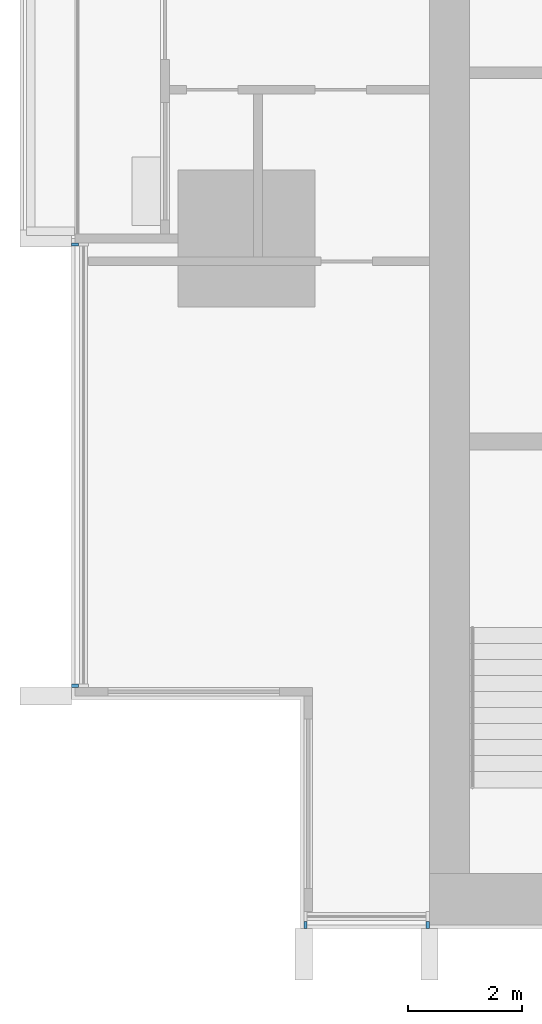
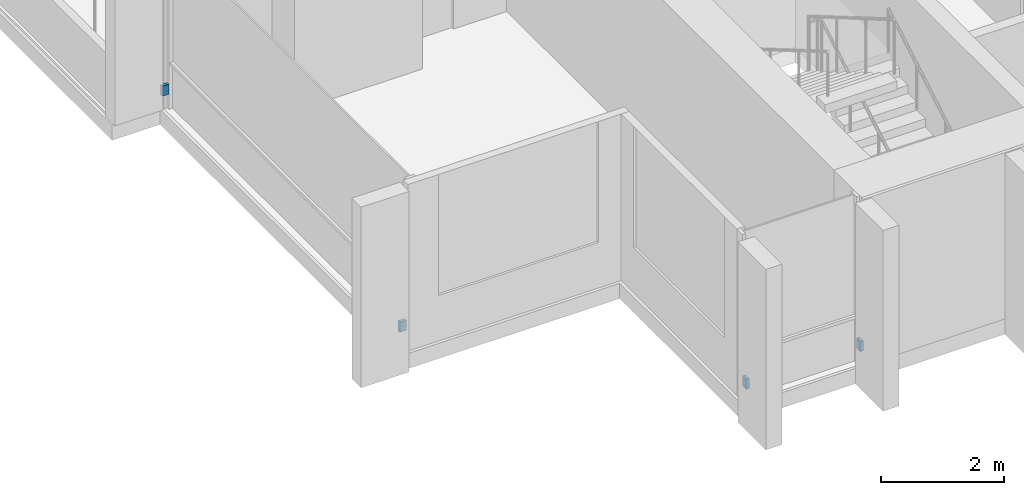
# One storey, part 12 of 16: 4 discrete accessories.
"""IFC4 building model written with IfcOpenShell, lengths in metres."""

from ifc_helpers import new_model, si_unit, direction, frame, origin, origin_2d, place, context, subcontext, project, spatial, rectangle, extrude, material, type_object, element, save


model = new_model("IFC4")

# Units and contexts
model_context = context("Model", 3, precision=1e-05, world=origin(), true_north=direction((0.0, 1.0)))
body_context = subcontext(model_context, "Body", "Model", "MODEL_VIEW")
ifc_project = project(units=[si_unit("LENGTHUNIT", "METRE"), si_unit("AREAUNIT", "SQUARE_METRE"), si_unit("VOLUMEUNIT", "CUBIC_METRE"), si_unit("PLANEANGLEUNIT", "RADIAN"), si_unit("MASSUNIT", "GRAM", prefix="KILO")], contexts=[model_context])

# Site, building, storey
site_placement = place(None, origin())
site = spatial("IfcSite", under=ifc_project, at=site_placement, CompositionType="ELEMENT")
building_placement = place(site_placement, origin())
building = spatial("IfcBuilding", under=site, at=building_placement, Name="Finial Court Residences", CompositionType="ELEMENT")
storey_placement = place(building_placement, frame((0.0, 0.0, 188.89990234375)))
storey = spatial("IfcBuildingStorey", under=building, at=storey_placement, Name="L47", CompositionType="ELEMENT", Elevation=188.89990234375)

# Discrete accessories
ifc_material = material(Name="Stainless steel 316", Category="steel")
discrete_accessory_type = type_object("IfcDiscreteAccessoryType", Name="Fin bracket, stainless steel 60 x 122 x 200", PredefinedType="BRACKET", material=ifc_material)
for number, where, z_axis, x_axis, name in (
    (1, (-15.469970703125, -25.498779296875, 0.30029296875), (0.0, 0.0, 1.0), (1.0, 0.0, 0.0), "E-L47-FIN-S14-BRK"),
    (2, (-13.330078125, -25.498779296875, 0.30029296875), (0.0, 0.0, 1.0), (1.0, 0.0, 0.0), "E-L47-FIN-S15-BRK"),
):
    element("IfcDiscreteAccessory", number, at=place(storey_placement, frame(where, z_axis=z_axis, x_axis=x_axis)), inside=storey, type_object=discrete_accessory_type, Name=name, PredefinedType="BRACKET", context=body_context, shape_type="SweptSolid", body=[
        extrude(rectangle(XDim=0.06005859375, YDim=0.12255859375, at=origin_2d()), origin(), (0.0, 0.0, 1.0), 0.199951171875),
    ])
for number, where, z_axis, x_axis, name in (
    (3, (-19.498779296875, -21.320068359375, 0.30029296875), (0.0, 0.0, 1.0), (1.0, 0.0, 0.0), "E-L47-FIN-W22-BRK"),
    (4, (-19.498779296875, -13.60498046875, 0.30029296875), (0.0, 0.0, 1.0), (1.0, 0.0, 0.0), "E-L47-FIN-W23-BRK"),
):
    element("IfcDiscreteAccessory", number, at=place(storey_placement, frame(where, z_axis=z_axis, x_axis=x_axis)), inside=storey, type_object=discrete_accessory_type, Name=name, PredefinedType="BRACKET", context=body_context, shape_type="SweptSolid", body=[
        extrude(rectangle(XDim=0.12255859375, YDim=0.06005859375, at=origin_2d()), origin(), (0.0, 0.0, 1.0), 0.199951171875),
    ])

save(model, "model.ifc")
